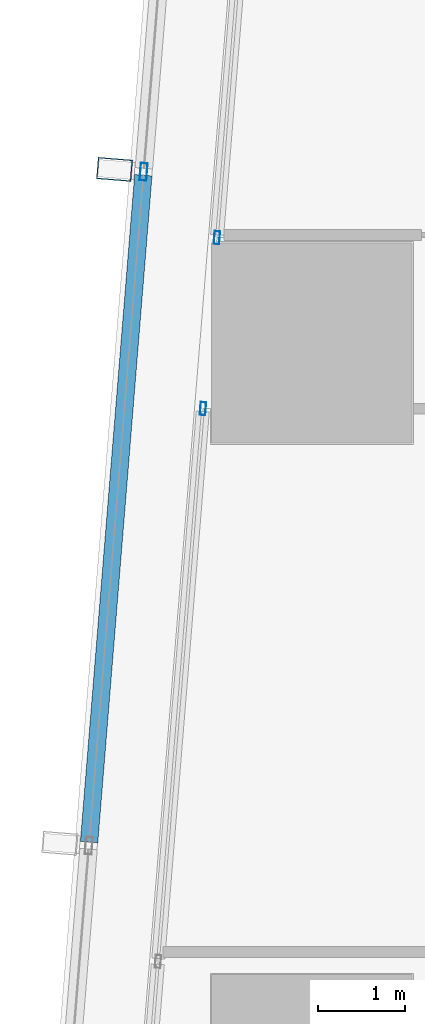
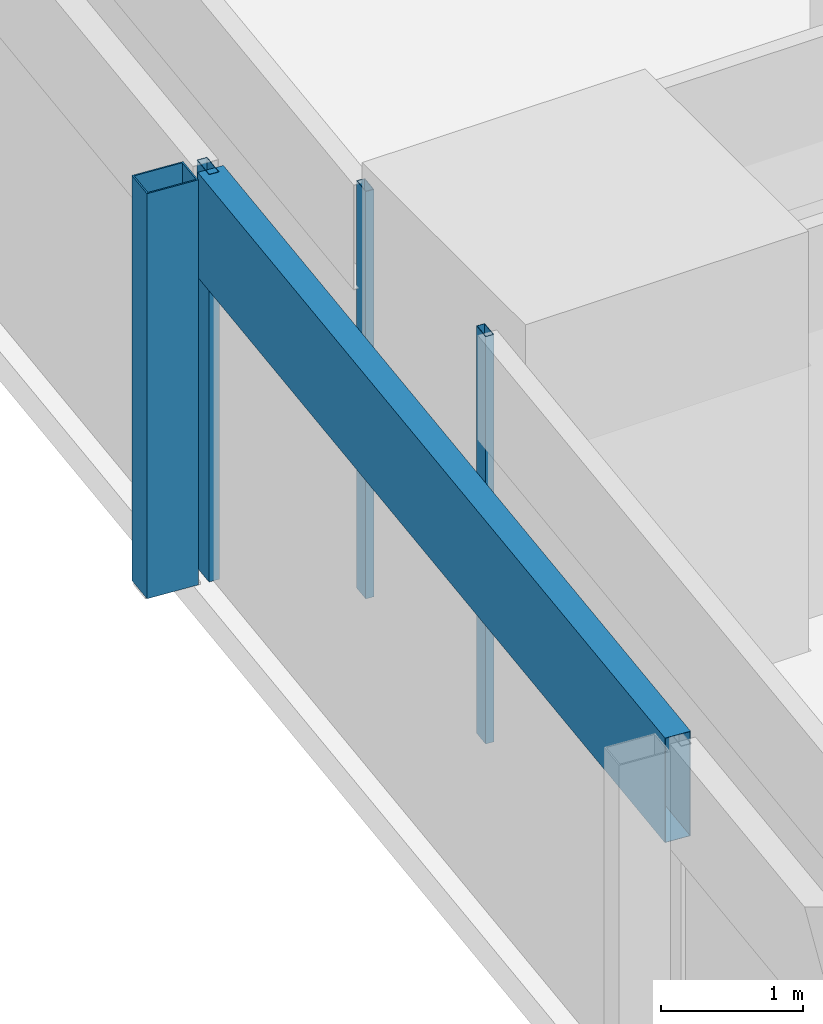
# One storey, part 7 of 32: 5 members, 3 elements without a shape of their own.
"""IFC4 building model written with IfcOpenShell, lengths in metres."""

import ifcopenshell
import ifcopenshell.guid

model = None  # the IFC model being written
_history = None  # IfcOwnerHistory: only IFC2X3 demands one
_inside = {}  # id of a spatial element -> (the spatial element, [elements in it])
_under = {}  # id of a project, library or spatial element -> (it, [spatial elements below it])
_declared = {}  # id of a project -> (the project, [libraries it declares])
_typed = {}  # id of a type object -> (the type object, [elements of that type])
_made_of = {}  # id of a material, layer set ... -> (it, [elements and type objects made of it])


def new_model(schema):
    """Start an empty IFC model of exactly this schema.

    Asked for "IFC4X3", IfcOpenShell would pick the latest addendum, in which some entities
    have other attributes; the version numbers below select the first issue.
    IFC2X3 requires an IfcOwnerHistory on every rooted entity: one is made here for all.
    """
    global model, _history
    if schema == "IFC4X3":
        model = ifcopenshell.file(schema_version=(4, 3, 0, 0))
    else:
        model = ifcopenshell.file(schema=schema)
    _inside.clear()
    _under.clear()
    _declared.clear()
    _typed.clear()
    _made_of.clear()
    _history = None
    if model.schema == "IFC2X3":
        org = make("IfcOrganization", Name="unknown")
        user = make(
            "IfcPersonAndOrganization",
            ThePerson=make("IfcPerson", FamilyName="unknown"),
            TheOrganization=org,
        )
        app = make(
            "IfcApplication",
            ApplicationDeveloper=org,
            Version="unknown",
            ApplicationFullName="unknown",
            ApplicationIdentifier="unknown",
        )
        _history = make(
            "IfcOwnerHistory",
            OwningUser=user,
            OwningApplication=app,
            ChangeAction="ADDED",
            CreationDate=0,
        )
    return model


def make(cls, **values):
    """One entity of the class cls with the attributes given. An attribute that is None is left unset."""
    return model.create_entity(
        cls, **{name: value for name, value in values.items() if value is not None}
    )


def rooted(cls, **values):
    """An entity with a GlobalId (a new one), such as an element, a storey or a relation."""
    return make(cls, GlobalId=ifcopenshell.guid.new(), OwnerHistory=_history, **values)


def si_unit(unit_type, name, prefix=None):
    """IfcSIUnit, for example si_unit("LENGTHUNIT", "METRE", prefix="MILLI")."""
    return make("IfcSIUnit", UnitType=unit_type, Prefix=prefix, Name=name)


def assignment(units):
    """IfcUnitAssignment: the units of a project."""
    return None if units is None else make("IfcUnitAssignment", Units=units)


def point(xyz):
    """IfcCartesianPoint."""
    return None if xyz is None else make("IfcCartesianPoint", Coordinates=xyz)


def direction(xyz):
    """IfcDirection."""
    return None if xyz is None else make("IfcDirection", DirectionRatios=xyz)


def frame(location, z_axis=None, x_axis=None):
    """IfcAxis2Placement3D, a coordinate frame: its origin and axes. An axis left out is left unset."""
    return make(
        "IfcAxis2Placement3D",
        Location=point(location),
        Axis=direction(z_axis),
        RefDirection=direction(x_axis),
    )


def frame_2d(location, x_axis=None):
    """IfcAxis2Placement2D, a coordinate frame in the plane: its origin and x axis."""
    return make(
        "IfcAxis2Placement2D", Location=point(location), RefDirection=direction(x_axis)
    )


def origin():
    """The frame at (0, 0, 0) with its axes left unset."""
    return frame((0.0, 0.0, 0.0))


def origin_2d():
    """The frame at (0, 0) in the plane with its x axis left unset."""
    return frame_2d((0.0, 0.0))


def place(relative_to, where):
    """IfcLocalPlacement: puts the frame where relative to a parent placement (None: the world)."""
    return make(
        "IfcLocalPlacement", PlacementRelTo=relative_to, RelativePlacement=where
    )


def context(
    kind, dimensions, precision=None, world=None, true_north=None, identifier=None
):
    """IfcGeometricRepresentationContext, for example the 3D "Model" context."""
    return make(
        "IfcGeometricRepresentationContext",
        ContextIdentifier=identifier,
        ContextType=kind,
        CoordinateSpaceDimension=dimensions,
        Precision=precision,
        WorldCoordinateSystem=world,
        TrueNorth=true_north,
    )


def subcontext(parent, identifier, kind, view, scale=None):
    """IfcGeometricRepresentationSubContext, for example "Body" below "Model"."""
    return make(
        "IfcGeometricRepresentationSubContext",
        ContextIdentifier=identifier,
        ContextType=kind,
        ParentContext=parent,
        TargetScale=scale,
        TargetView=view,
    )


def project(units=None, contexts=None):
    """IfcProject with its units and contexts."""
    return rooted(
        "IfcProject",
        Name="project",
        RepresentationContexts=contexts,
        UnitsInContext=assignment(units),
    )


def spatial(cls, under=None, at=None, **own):
    """A site, building, storey or space (cls), placed at a placement, below another one or the project."""
    s = rooted(cls, ObjectPlacement=at, **own)
    if under is not None:
        _under.setdefault(under.id(), (under, []))[1].append(s)
    return s


def profile(cls, at=None, kind="AREA", **sizes):
    """A parametric profile (cls). Its sizes go by their IFC names, for example OverallWidth=200.0."""
    return make(cls, ProfileType=kind, Position=at, **sizes)


def hollow_rectangle(**sizes):
    """IfcRectangleHollowProfileDef."""
    return profile("IfcRectangleHollowProfileDef", **sizes)


def extrude(swept, where, along, depth):
    """IfcExtrudedAreaSolid: the profile swept, set in the frame where, extruded along a direction by depth."""
    return make(
        "IfcExtrudedAreaSolid",
        SweptArea=swept,
        Position=where,
        ExtrudedDirection=direction(along),
        Depth=depth,
    )


def shape(context_of_items, identifier, shape_type, items):
    """IfcShapeRepresentation: the items that make up one representation, for example the "Body"."""
    return make(
        "IfcShapeRepresentation",
        ContextOfItems=context_of_items,
        RepresentationIdentifier=identifier,
        RepresentationType=shape_type,
        Items=items,
    )


def material(Name=None, Category=None):
    """IfcMaterial."""
    return make("IfcMaterial", Name=Name, Category=Category)


def material_profile(
    of_material, cross_section, Name=None, Category=None, Priority=None
):
    """IfcMaterialProfile: a cross section and its material."""
    return make(
        "IfcMaterialProfile",
        Name=Name,
        Material=of_material,
        Profile=cross_section,
        Priority=Priority,
        Category=Category,
    )


def profile_set(profiles, Name=None, composite=None):
    """IfcMaterialProfileSet."""
    return make(
        "IfcMaterialProfileSet",
        Name=Name,
        MaterialProfiles=profiles,
        CompositeProfile=composite,
    )


def made_of(thing, what):
    """Note that an element or type object is made of a material, layer set ...; save() writes the relation."""
    if what is not None:
        _made_of.setdefault(what.id(), (what, []))[1].append(thing)
    return thing


def type_object(cls, material=None, **own):
    """A type object (cls), such as IfcWallType, which elements share."""
    return made_of(rooted(cls, **own), material)


def element(
    cls,
    number,
    at=None,
    inside=None,
    cuts=None,
    type_object=None,
    material=None,
    context=None,
    identifier="Body",
    shape_type=None,
    held_by="IfcProductDefinitionShape",
    body=None,
    shapes=None,
    **own,
):
    """One element of the class cls, such as IfcWall. Its Tag is "e" and its number.

    at: its placement. inside: the storey or other place that contains it. cuts: it is an
    opening in that element (IfcRelVoidsElement). A single representation is given by context,
    identifier, shape_type and body (its items); several are given by shapes. held_by: the class
    of the entity that holds the representations. save() writes the other relations.
    """
    e = rooted(cls, Tag="e%d" % number, ObjectPlacement=at, **own)
    if body is not None:
        shapes = [shape(context, identifier, shape_type, body)]
    if shapes is not None:
        e.Representation = make(held_by, Representations=shapes)
    if inside is not None:
        _inside.setdefault(inside.id(), (inside, []))[1].append(e)
    if cuts is not None:
        rooted(
            "IfcRelVoidsElement", RelatingBuildingElement=cuts, RelatedOpeningElement=e
        )
    if type_object is not None:
        _typed.setdefault(type_object.id(), (type_object, []))[1].append(e)
    return made_of(e, material)


def aggregate(whole, parts):
    """IfcRelAggregates: a whole, such as a stair, and the parts it consists of."""
    return rooted("IfcRelAggregates", RelatingObject=whole, RelatedObjects=parts)


def save(model, path):
    """Write the relations noted so far, then the file.

    IfcRelAggregates (storeys below a building ...), IfcRelContainedInSpatialStructure (elements
    in a storey), IfcRelDefinesByType, IfcRelAssociatesMaterial and IfcRelDeclares: one each for
    every whole, place, type object, material and project.
    """
    for whole, parts in _under.values():
        aggregate(whole, parts)
    for where, things in _inside.values():
        rooted(
            "IfcRelContainedInSpatialStructure",
            RelatedElements=things,
            RelatingStructure=where,
        )
    for kind, things in _typed.values():
        rooted("IfcRelDefinesByType", RelatedObjects=things, RelatingType=kind)
    for what, things in _made_of.values():
        rooted("IfcRelAssociatesMaterial", RelatedObjects=things, RelatingMaterial=what)
    for by, libraries in _declared.values():
        rooted("IfcRelDeclares", RelatingContext=by, RelatedDefinitions=libraries)
    model.write(path)


model = new_model("IFC4")

# Units and contexts
model_context = context("Model", 3, precision=1e-05, world=origin(), true_north=direction((0.0, 1.0)))
body_context = subcontext(model_context, "Body", "Model", "MODEL_VIEW")
ifc_project = project(units=[si_unit("LENGTHUNIT", "METRE"), si_unit("AREAUNIT", "SQUARE_METRE"), si_unit("VOLUMEUNIT", "CUBIC_METRE"), si_unit("PLANEANGLEUNIT", "RADIAN"), si_unit("MASSUNIT", "GRAM", prefix="KILO")], contexts=[model_context])

# Site, building, storey
site_placement = place(None, origin())
site = spatial("IfcSite", under=ifc_project, at=site_placement, CompositionType="ELEMENT")
building_placement = place(site_placement, origin())
building = spatial("IfcBuilding", under=site, at=building_placement, Name="Rekha Terrace Tower", CompositionType="ELEMENT")
storey_placement = place(building_placement, frame((0.0, 0.0, 250.10009765625)))
storey = spatial("IfcBuildingStorey", under=building, at=storey_placement, Name="L63", CompositionType="ELEMENT", Elevation=250.10009765625)

# Curtain wall, member
ifc_material_1 = material(Name="Aluminium framing", Category="aluminium")
curtain_wall_type_1 = type_object("IfcCurtainWallType", Name="CW2 double skin outer glazing", PredefinedType="USERDEFINED", material=ifc_material_1)
curtain_wall_1_placement = place(storey_placement, origin())
curtain_wall_1 = element("IfcCurtainWall", 1, at=curtain_wall_1_placement, inside=storey, type_object=curtain_wall_type_1, Name="CW2 double skin outer glazing", ObjectType="DOUBLE SKIN OUTER GLAZING", PredefinedType="USERDEFINED")
ifc_material_2 = material(Name="Steel S355 with fluorocarbon finish", Category="steel")
ifc_material_profile_1 = material_profile(ifc_material_2, hollow_rectangle(XDim=0.25, YDim=0.39990234375, WallThickness=0.012451171875, at=origin_2d()), Name="RHS400x250x12.5")
ifc_profile_set_1 = profile_set([ifc_material_profile_1], Name="Steel S355 with fluorocarbon finish")
member_type_1 = type_object("IfcMemberType", Name="BL1 facade blade RHS 400 x 250", PredefinedType="USERDEFINED", material=ifc_profile_set_1)
member_1_placement = place(storey_placement, frame((6.135498046875, 43.9931640625, 0.02001953125), z_axis=(0.0, 0.0, 1.0), x_axis=(-0.081068747348, -0.996708512156, 0.0)))
member_1 = element("IfcMember", 2, at=member_1_placement, type_object=member_type_1, Name="Facade blade", ObjectType="FACADE BLADE", PredefinedType="USERDEFINED", context=body_context, shape_type="SweptSolid", body=[
    extrude(hollow_rectangle(XDim=0.25, YDim=0.39990234375, WallThickness=0.012451171875, at=origin_2d()), origin(), (0.0, 0.0, 1.0), 3.47998046875),
])

curtain_wall_type_2 = type_object("IfcCurtainWallType", Name="CW1 double skin inner glazing", PredefinedType="USERDEFINED", material=ifc_material_1)
curtain_wall_2_placement = place(storey_placement, origin())
curtain_wall_2 = element("IfcCurtainWall", 3, at=curtain_wall_2_placement, inside=storey, type_object=curtain_wall_type_2, Name="CW1 double skin inner glazing", ObjectType="DOUBLE SKIN INNER GLAZING", PredefinedType="USERDEFINED")
ifc_material_3 = material(Name="Aluminium mullion section", Category="aluminium")
ifc_material_profile_2 = material_profile(ifc_material_3, hollow_rectangle(XDim=0.06494140625, YDim=0.14990234375, WallThickness=0.00390625, at=origin_2d()), Name="AL RHS 65x150")
ifc_profile_set_2 = profile_set([ifc_material_profile_2], Name="Aluminium mullion section")
member_type_2 = type_object("IfcMemberType", Name="CW1 mullion RHS 65 x 150", PredefinedType="MULLION", material=ifc_profile_set_2)
member_2_placement = place(storey_placement, frame((7.310791015625, 43.2099609375, 0.0), z_axis=(0.0, 0.0, 1.0), x_axis=(0.996708580514, -0.081067906903, 0.0)))
member_2 = element("IfcMember", 4, at=member_2_placement, type_object=member_type_2, Name="CW1 mullion 2", PredefinedType="MULLION", context=body_context, shape_type="SweptSolid", body=[
    extrude(hollow_rectangle(XDim=0.06494140625, YDim=0.14990234375, WallThickness=0.00390625, at=origin_2d()), origin(), (0.0, 0.0, 1.0), 3.5),
])
aggregate(curtain_wall_2, [member_2])

curtain_wall_3_placement = place(storey_placement, origin())
curtain_wall_3 = element("IfcCurtainWall", 5, at=curtain_wall_3_placement, inside=storey, type_object=curtain_wall_type_2, Name="CW1 double skin inner glazing", ObjectType="DOUBLE SKIN INNER GLAZING", PredefinedType="USERDEFINED")
member_3_placement = place(storey_placement, frame((7.151123046875, 41.24658203125, 0.0), z_axis=(0.0, 0.0, 1.0), x_axis=(0.996708580523, -0.081067906798, 0.0)))
member_3 = element("IfcMember", 6, at=member_3_placement, type_object=member_type_2, Name="CW1 mullion 1", PredefinedType="MULLION", context=body_context, shape_type="SweptSolid", body=[
    extrude(hollow_rectangle(XDim=0.06494140625, YDim=0.14990234375, WallThickness=0.00390625, at=origin_2d()), origin(), (0.0, 0.0, 1.0), 3.5),
])
aggregate(curtain_wall_3, [member_3])

# Member
ifc_material_profile_3 = material_profile(ifc_material_3, hollow_rectangle(XDim=0.080078125, YDim=0.199951171875, WallThickness=0.00390625, at=origin_2d()), Name="AL RHS 80x200")
ifc_profile_set_3 = profile_set([ifc_material_profile_3], Name="Aluminium mullion section")
member_type_3 = type_object("IfcMemberType", Name="CW2 mullion RHS 80 x 200", PredefinedType="MULLION", material=ifc_profile_set_3)
member_4_placement = place(storey_placement, frame((6.46923828125, 43.9658203125, 0.0), z_axis=(0.0, 0.0, 1.0), x_axis=(0.996708580521, -0.081067906816, 0.0)))
member_4 = element("IfcMember", 7, at=member_4_placement, type_object=member_type_3, Name="CW2 mullion 2", PredefinedType="MULLION", context=body_context, shape_type="SweptSolid", body=[
    extrude(hollow_rectangle(XDim=0.080078125, YDim=0.199951171875, WallThickness=0.00390625, at=origin_2d()), origin(), (0.0, 0.0, 1.0), 3.5),
])

ifc_material_4 = material(Name="Insulated aluminium spandrel box", Category="aluminium")
ifc_material_profile_4 = material_profile(ifc_material_4, hollow_rectangle(XDim=0.199951171875, YDim=0.89990234375, WallThickness=0.0029296875, at=origin_2d()), Name="AL SPANDREL BOX 200x900")
ifc_profile_set_4 = profile_set([ifc_material_profile_4], Name="Insulated aluminium spandrel box")
member_type_4 = type_object("IfcMemberType", Name="CW2 spandrel transom 200 x 900", PredefinedType="USERDEFINED", material=ifc_profile_set_4)
member_5_placement = place(storey_placement, frame((6.466064453125, 43.926025390625, 3.0498046875), z_axis=(-0.081082991857, -0.996707353455, 0.0), x_axis=(0.996707353455, -0.081082991857, 0.0)))
member_5 = element("IfcMember", 8, at=member_5_placement, type_object=member_type_4, Name="CW2 spandrel transom 2", ObjectType="TRANSOM", PredefinedType="USERDEFINED", context=body_context, shape_type="SweptSolid", body=[
    extrude(hollow_rectangle(XDim=0.199951171875, YDim=0.89990234375, WallThickness=0.0029296875, at=origin_2d()), origin(), (0.0, 0.0, 1.0), 7.68115234375),
])

aggregate(curtain_wall_1, [member_4, member_5, member_1])

save(model, "model.ifc")
